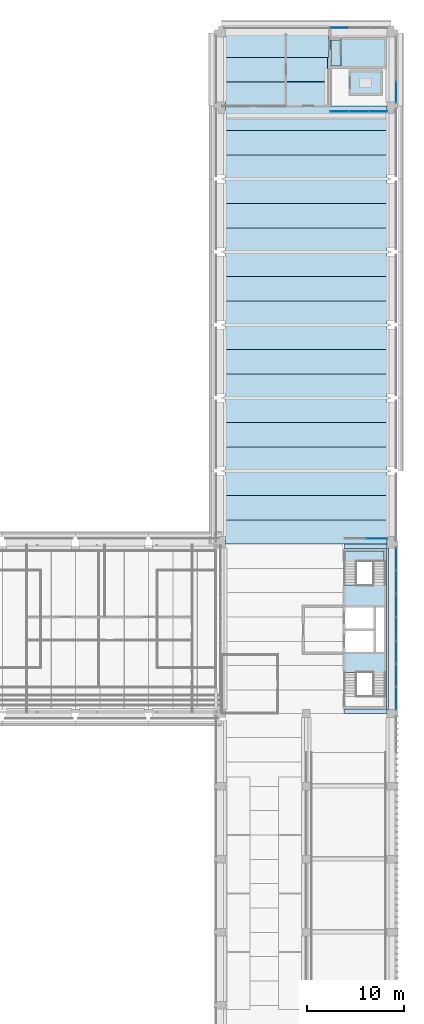
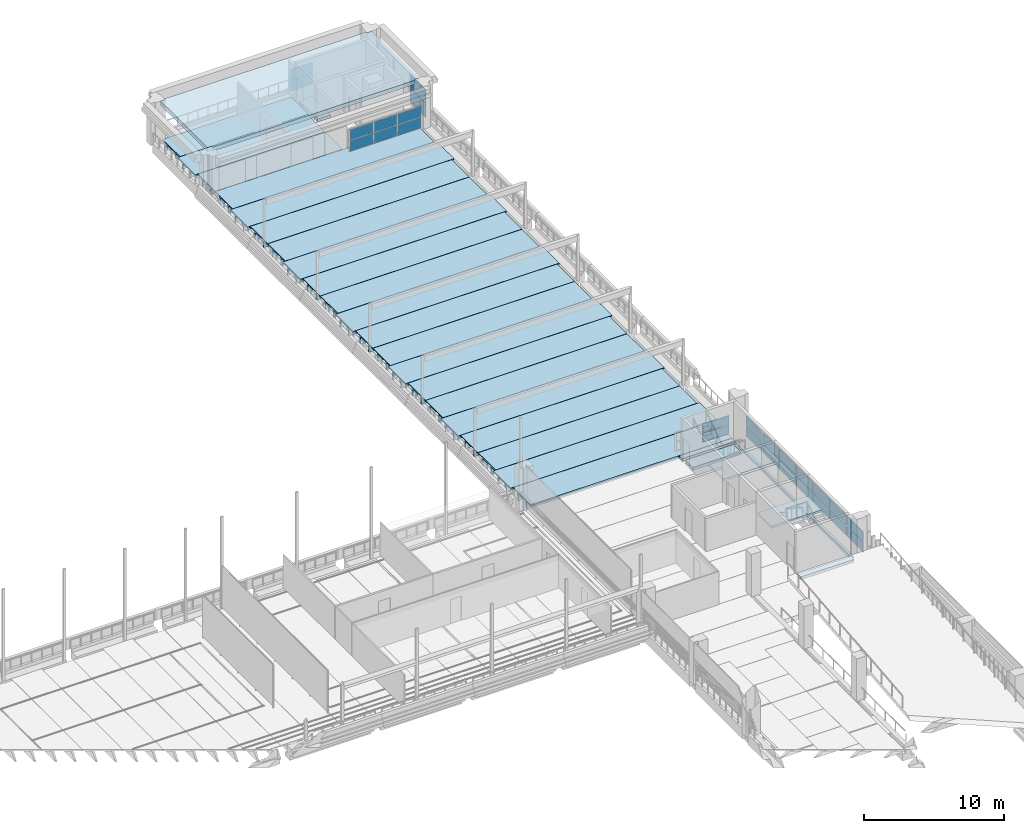
# One storey, part 39 of 62: 27 slabs, 26 plates, 7 elements without a shape of their own.
"""IFC4 building model written with IfcOpenShell, lengths in metres."""

import ifcopenshell
import ifcopenshell.guid

model = None  # the IFC model being written
_history = None  # IfcOwnerHistory: only IFC2X3 demands one
_inside = {}  # id of a spatial element -> (the spatial element, [elements in it])
_under = {}  # id of a project, library or spatial element -> (it, [spatial elements below it])
_declared = {}  # id of a project -> (the project, [libraries it declares])
_typed = {}  # id of a type object -> (the type object, [elements of that type])
_made_of = {}  # id of a material, layer set ... -> (it, [elements and type objects made of it])


def new_model(schema):
    """Start an empty IFC model of exactly this schema.

    Asked for "IFC4X3", IfcOpenShell would pick the latest addendum, in which some entities
    have other attributes; the version numbers below select the first issue.
    IFC2X3 requires an IfcOwnerHistory on every rooted entity: one is made here for all.
    """
    global model, _history
    if schema == "IFC4X3":
        model = ifcopenshell.file(schema_version=(4, 3, 0, 0))
    else:
        model = ifcopenshell.file(schema=schema)
    _inside.clear()
    _under.clear()
    _declared.clear()
    _typed.clear()
    _made_of.clear()
    _history = None
    if model.schema == "IFC2X3":
        org = make("IfcOrganization", Name="unknown")
        user = make(
            "IfcPersonAndOrganization",
            ThePerson=make("IfcPerson", FamilyName="unknown"),
            TheOrganization=org,
        )
        app = make(
            "IfcApplication",
            ApplicationDeveloper=org,
            Version="unknown",
            ApplicationFullName="unknown",
            ApplicationIdentifier="unknown",
        )
        _history = make(
            "IfcOwnerHistory",
            OwningUser=user,
            OwningApplication=app,
            ChangeAction="ADDED",
            CreationDate=0,
        )
    return model


def make(cls, **values):
    """One entity of the class cls with the attributes given. An attribute that is None is left unset."""
    return model.create_entity(
        cls, **{name: value for name, value in values.items() if value is not None}
    )


def rooted(cls, **values):
    """An entity with a GlobalId (a new one), such as an element, a storey or a relation."""
    return make(cls, GlobalId=ifcopenshell.guid.new(), OwnerHistory=_history, **values)


def si_unit(unit_type, name, prefix=None):
    """IfcSIUnit, for example si_unit("LENGTHUNIT", "METRE", prefix="MILLI")."""
    return make("IfcSIUnit", UnitType=unit_type, Prefix=prefix, Name=name)


def assignment(units):
    """IfcUnitAssignment: the units of a project."""
    return None if units is None else make("IfcUnitAssignment", Units=units)


def point(xyz):
    """IfcCartesianPoint."""
    return None if xyz is None else make("IfcCartesianPoint", Coordinates=xyz)


def direction(xyz):
    """IfcDirection."""
    return None if xyz is None else make("IfcDirection", DirectionRatios=xyz)


def frame(location, z_axis=None, x_axis=None):
    """IfcAxis2Placement3D, a coordinate frame: its origin and axes. An axis left out is left unset."""
    return make(
        "IfcAxis2Placement3D",
        Location=point(location),
        Axis=direction(z_axis),
        RefDirection=direction(x_axis),
    )


def frame_2d(location, x_axis=None):
    """IfcAxis2Placement2D, a coordinate frame in the plane: its origin and x axis."""
    return make(
        "IfcAxis2Placement2D", Location=point(location), RefDirection=direction(x_axis)
    )


def origin():
    """The frame at (0, 0, 0) with its axes left unset."""
    return frame((0.0, 0.0, 0.0))


def origin_2d():
    """The frame at (0, 0) in the plane with its x axis left unset."""
    return frame_2d((0.0, 0.0))


def place(relative_to, where):
    """IfcLocalPlacement: puts the frame where relative to a parent placement (None: the world)."""
    return make(
        "IfcLocalPlacement", PlacementRelTo=relative_to, RelativePlacement=where
    )


def context(
    kind, dimensions, precision=None, world=None, true_north=None, identifier=None
):
    """IfcGeometricRepresentationContext, for example the 3D "Model" context."""
    return make(
        "IfcGeometricRepresentationContext",
        ContextIdentifier=identifier,
        ContextType=kind,
        CoordinateSpaceDimension=dimensions,
        Precision=precision,
        WorldCoordinateSystem=world,
        TrueNorth=true_north,
    )


def subcontext(parent, identifier, kind, view, scale=None):
    """IfcGeometricRepresentationSubContext, for example "Body" below "Model"."""
    return make(
        "IfcGeometricRepresentationSubContext",
        ContextIdentifier=identifier,
        ContextType=kind,
        ParentContext=parent,
        TargetScale=scale,
        TargetView=view,
    )


def project(units=None, contexts=None):
    """IfcProject with its units and contexts."""
    return rooted(
        "IfcProject",
        Name="project",
        RepresentationContexts=contexts,
        UnitsInContext=assignment(units),
    )


def spatial(cls, under=None, at=None, **own):
    """A site, building, storey or space (cls), placed at a placement, below another one or the project."""
    s = rooted(cls, ObjectPlacement=at, **own)
    if under is not None:
        _under.setdefault(under.id(), (under, []))[1].append(s)
    return s


def polyline(points):
    """IfcPolyline through the points."""
    return make("IfcPolyline", Points=[point(p) for p in points])


def profile(cls, at=None, kind="AREA", **sizes):
    """A parametric profile (cls). Its sizes go by their IFC names, for example OverallWidth=200.0."""
    return make(cls, ProfileType=kind, Position=at, **sizes)


def rectangle(**sizes):
    """IfcRectangleProfileDef."""
    return profile("IfcRectangleProfileDef", **sizes)


def outline(outer, holes=None, kind="AREA"):
    """IfcArbitraryClosedProfileDef: a profile drawn as a closed curve; with holes, ...WithVoids."""
    if holes is None:
        return make("IfcArbitraryClosedProfileDef", ProfileType=kind, OuterCurve=outer)
    return make(
        "IfcArbitraryProfileDefWithVoids",
        ProfileType=kind,
        OuterCurve=outer,
        InnerCurves=holes,
    )


def extrude(swept, where, along, depth):
    """IfcExtrudedAreaSolid: the profile swept, set in the frame where, extruded along a direction by depth."""
    return make(
        "IfcExtrudedAreaSolid",
        SweptArea=swept,
        Position=where,
        ExtrudedDirection=direction(along),
        Depth=depth,
    )


def shape(context_of_items, identifier, shape_type, items):
    """IfcShapeRepresentation: the items that make up one representation, for example the "Body"."""
    return make(
        "IfcShapeRepresentation",
        ContextOfItems=context_of_items,
        RepresentationIdentifier=identifier,
        RepresentationType=shape_type,
        Items=items,
    )


def material(Name=None, Category=None):
    """IfcMaterial."""
    return make("IfcMaterial", Name=Name, Category=Category)


def layer(
    of_material, thickness, ventilated=None, Name=None, Category=None, Priority=None
):
    """IfcMaterialLayer: one layer of a wall or slab, of a material (None: an air gap)."""
    return make(
        "IfcMaterialLayer",
        Material=of_material,
        LayerThickness=thickness,
        IsVentilated=ventilated,
        Name=Name,
        Category=Category,
        Priority=Priority,
    )


def layer_set(layers, Name=None):
    """IfcMaterialLayerSet."""
    return make("IfcMaterialLayerSet", MaterialLayers=layers, LayerSetName=Name)


def material_profile(
    of_material, cross_section, Name=None, Category=None, Priority=None
):
    """IfcMaterialProfile: a cross section and its material."""
    return make(
        "IfcMaterialProfile",
        Name=Name,
        Material=of_material,
        Profile=cross_section,
        Priority=Priority,
        Category=Category,
    )


def profile_set(profiles, Name=None, composite=None):
    """IfcMaterialProfileSet."""
    return make(
        "IfcMaterialProfileSet",
        Name=Name,
        MaterialProfiles=profiles,
        CompositeProfile=composite,
    )


def made_of(thing, what):
    """Note that an element or type object is made of a material, layer set ...; save() writes the relation."""
    if what is not None:
        _made_of.setdefault(what.id(), (what, []))[1].append(thing)
    return thing


def type_object(cls, material=None, **own):
    """A type object (cls), such as IfcWallType, which elements share."""
    return made_of(rooted(cls, **own), material)


def element(
    cls,
    number,
    at=None,
    inside=None,
    cuts=None,
    type_object=None,
    material=None,
    context=None,
    identifier="Body",
    shape_type=None,
    held_by="IfcProductDefinitionShape",
    body=None,
    shapes=None,
    **own,
):
    """One element of the class cls, such as IfcWall. Its Tag is "e" and its number.

    at: its placement. inside: the storey or other place that contains it. cuts: it is an
    opening in that element (IfcRelVoidsElement). A single representation is given by context,
    identifier, shape_type and body (its items); several are given by shapes. held_by: the class
    of the entity that holds the representations. save() writes the other relations.
    """
    e = rooted(cls, Tag="e%d" % number, ObjectPlacement=at, **own)
    if body is not None:
        shapes = [shape(context, identifier, shape_type, body)]
    if shapes is not None:
        e.Representation = make(held_by, Representations=shapes)
    if inside is not None:
        _inside.setdefault(inside.id(), (inside, []))[1].append(e)
    if cuts is not None:
        rooted(
            "IfcRelVoidsElement", RelatingBuildingElement=cuts, RelatedOpeningElement=e
        )
    if type_object is not None:
        _typed.setdefault(type_object.id(), (type_object, []))[1].append(e)
    return made_of(e, material)


def aggregate(whole, parts):
    """IfcRelAggregates: a whole, such as a stair, and the parts it consists of."""
    return rooted("IfcRelAggregates", RelatingObject=whole, RelatedObjects=parts)


def save(model, path):
    """Write the relations noted so far, then the file.

    IfcRelAggregates (storeys below a building ...), IfcRelContainedInSpatialStructure (elements
    in a storey), IfcRelDefinesByType, IfcRelAssociatesMaterial and IfcRelDeclares: one each for
    every whole, place, type object, material and project.
    """
    for whole, parts in _under.values():
        aggregate(whole, parts)
    for where, things in _inside.values():
        rooted(
            "IfcRelContainedInSpatialStructure",
            RelatedElements=things,
            RelatingStructure=where,
        )
    for kind, things in _typed.values():
        rooted("IfcRelDefinesByType", RelatedObjects=things, RelatingType=kind)
    for what, things in _made_of.values():
        rooted("IfcRelAssociatesMaterial", RelatedObjects=things, RelatingMaterial=what)
    for by, libraries in _declared.values():
        rooted("IfcRelDeclares", RelatingContext=by, RelatedDefinitions=libraries)
    model.write(path)


model = new_model("IFC4")

# Units and contexts
model_context = context("Model", 3, precision=1e-05, world=origin(), true_north=direction((0.0, 1.0)))
body_context = subcontext(model_context, "Body", "Model", "MODEL_VIEW")
ifc_project = project(units=[si_unit("LENGTHUNIT", "METRE"), si_unit("AREAUNIT", "SQUARE_METRE"), si_unit("VOLUMEUNIT", "CUBIC_METRE"), si_unit("PLANEANGLEUNIT", "RADIAN"), si_unit("MASSUNIT", "GRAM", prefix="KILO")], contexts=[model_context])

# Site, building, storey
site_placement = place(None, origin())
site = spatial("IfcSite", under=ifc_project, at=site_placement, CompositionType="ELEMENT")
building_placement = place(site_placement, origin())
building = spatial("IfcBuilding", under=site, at=building_placement, Name="Cour d'Honneur Mobility Palace", CompositionType="ELEMENT")
storey_placement = place(building_placement, frame((0.0, 0.0, 19.300048828125)))
storey = spatial("IfcBuildingStorey", under=building, at=storey_placement, Name="L05", CompositionType="ELEMENT", Elevation=19.300048828125)

# Slabs
ifc_material_1 = material(Name="Concrete C50", Category="concrete")
ifc_layer_1 = layer(ifc_material_1, 0.25)
ifc_layer_set_1 = layer_set([ifc_layer_1], Name="Concrete C50")
slab_type_1 = type_object("IfcSlabType", Name="Cast-in-place Slab 250", PredefinedType="FLOOR", material=ifc_layer_set_1)
slab_1_placement = place(storey_placement, frame((0.0, 0.0, -0.25)))
element("IfcSlab", 1, at=slab_1_placement, inside=storey, type_object=slab_type_1, Name="Cast-in-place slab S1 L05 core", PredefinedType="FLOOR", context=body_context, shape_type="SweptSolid", body=[
    extrude(outline(polyline([(156.125, 114.199951171875), (157.199951171875, 114.199951171875), (157.199951171875, 111.52490234375), (156.125, 111.52490234375), (156.125, 114.199951171875)])), origin(), (0.0, 0.0, 1.0), 0.25),
])
slab_2_placement = place(storey_placement, frame((0.0, 0.0, -0.25)))
element("IfcSlab", 2, at=slab_2_placement, inside=storey, type_object=slab_type_1, Name="Cast-in-place slab S1 L05 core", PredefinedType="FLOOR", context=body_context, shape_type="SweptSolid", body=[
    extrude(outline(polyline([(161.89990234375, 62.0), (162.050048828125, 62.0), (162.050048828125, 45.39990234375), (161.89990234375, 45.39990234375), (161.89990234375, 45.0), (157.5, 45.0), (157.5, 45.449951171875), (161.85009765625, 45.449951171875), (161.85009765625, 61.949951171875), (157.5, 61.949951171875), (157.5, 62.39990234375), (161.89990234375, 62.39990234375), (161.89990234375, 62.0)])), origin(), (0.0, 0.0, 1.0), 0.25),
])
slab_3_placement = place(storey_placement, frame((0.0, 0.0, -0.25)))
element("IfcSlab", 3, at=slab_3_placement, inside=storey, type_object=slab_type_1, Name="Cast-in-place slab S1 L05 core", PredefinedType="FLOOR", context=body_context, shape_type="SweptSolid", body=[
    extrude(outline(polyline([(161.60009765625, 61.699951171875), (161.60009765625, 60.625), (157.625, 60.625), (157.625, 61.699951171875), (161.60009765625, 61.699951171875)])), origin(), (0.0, 0.0, 1.0), 0.25),
])

# Curtain wall, plates
ifc_material_2 = material(Name="Aluminium and glass", Category="aluminium")
ifc_layer_2 = layer(ifc_material_2, 0.10009765625)
ifc_layer_set_2 = layer_set([ifc_layer_2], Name="Aluminium and glass")
curtain_wall_type = type_object("IfcCurtainWallType", Name="Curtain wall run", PredefinedType="NOTDEFINED", material=ifc_layer_set_2)
curtain_wall_1_placement = place(storey_placement, origin())
curtain_wall_1 = element("IfcCurtainWall", 4, at=curtain_wall_1_placement, inside=storey, type_object=curtain_wall_type, Name="Curtain wall CW-91", PredefinedType="NOTDEFINED")
ifc_material_3 = material(Name="Double glazing", Category="glass")
ifc_layer_3 = layer(ifc_material_3, 0.028076171875)
ifc_layer_set_3 = layer_set([ifc_layer_3], Name="Double glazing")
plate_type = type_object("IfcPlateType", Name="Curtain wall panel", PredefinedType="CURTAIN_PANEL", material=ifc_layer_set_3)
plate_1_placement = place(storey_placement, frame((162.85009765625, 46.514892578125, 0.06005859375), z_axis=(0.0, 0.0, 1.0), x_axis=(0.0, 1.0, 0.0)))
plate_1 = element("IfcPlate", 5, at=plate_1_placement, type_object=plate_type, Name="CW-91 panel 1.1", PredefinedType="CURTAIN_PANEL", context=body_context, shape_type="SweptSolid", body=[
    extrude(rectangle(XDim=2.31005859375, YDim=0.028076171875, at=origin_2d()), origin(), (0.0, 0.0, 1.0), 0.860107421875),
])
plate_2_placement = place(storey_placement, frame((162.85009765625, 46.514892578125, 0.97998046875), z_axis=(0.0, 0.0, 1.0), x_axis=(0.0, 1.0, 0.0)))
plate_2 = element("IfcPlate", 6, at=plate_2_placement, type_object=plate_type, Name="CW-91 panel 1.2", PredefinedType="CURTAIN_PANEL", context=body_context, shape_type="SweptSolid", body=[
    extrude(rectangle(XDim=2.31005859375, YDim=0.028076171875, at=origin_2d()), origin(), (0.0, 0.0, 1.0), 0.860107421875),
])
plate_3_placement = place(storey_placement, frame((162.85009765625, 48.89990234375, 0.06005859375), z_axis=(0.0, 0.0, 1.0), x_axis=(0.0, 1.0, 0.0)))
plate_3 = element("IfcPlate", 7, at=plate_3_placement, type_object=plate_type, Name="CW-91 panel 2.1", PredefinedType="CURTAIN_PANEL", context=body_context, shape_type="SweptSolid", body=[
    extrude(rectangle(XDim=2.340087890625, YDim=0.028076171875, at=origin_2d()), origin(), (0.0, 0.0, 1.0), 0.860107421875),
])
plate_4_placement = place(storey_placement, frame((162.85009765625, 48.89990234375, 0.97998046875), z_axis=(0.0, 0.0, 1.0), x_axis=(0.0, 1.0, 0.0)))
plate_4 = element("IfcPlate", 8, at=plate_4_placement, type_object=plate_type, Name="CW-91 panel 2.2", PredefinedType="CURTAIN_PANEL", context=body_context, shape_type="SweptSolid", body=[
    extrude(rectangle(XDim=2.340087890625, YDim=0.028076171875, at=origin_2d()), origin(), (0.0, 0.0, 1.0), 0.860107421875),
])
plate_5_placement = place(storey_placement, frame((162.85009765625, 51.300048828125, 0.06005859375), z_axis=(0.0, 0.0, 1.0), x_axis=(0.0, 1.0, 0.0)))
plate_5 = element("IfcPlate", 9, at=plate_5_placement, type_object=plate_type, Name="CW-91 panel 3.1", PredefinedType="CURTAIN_PANEL", context=body_context, shape_type="SweptSolid", body=[
    extrude(rectangle(XDim=2.340087890625, YDim=0.028076171875, at=origin_2d()), origin(), (0.0, 0.0, 1.0), 0.860107421875),
])
plate_6_placement = place(storey_placement, frame((162.85009765625, 51.300048828125, 0.97998046875), z_axis=(0.0, 0.0, 1.0), x_axis=(0.0, 1.0, 0.0)))
plate_6 = element("IfcPlate", 10, at=plate_6_placement, type_object=plate_type, Name="CW-91 panel 3.2", PredefinedType="CURTAIN_PANEL", context=body_context, shape_type="SweptSolid", body=[
    extrude(rectangle(XDim=2.340087890625, YDim=0.028076171875, at=origin_2d()), origin(), (0.0, 0.0, 1.0), 0.860107421875),
])
plate_7_placement = place(storey_placement, frame((162.85009765625, 53.699951171875, 0.06005859375), z_axis=(0.0, 0.0, 1.0), x_axis=(0.0, 1.0, 0.0)))
plate_7 = element("IfcPlate", 11, at=plate_7_placement, type_object=plate_type, Name="CW-91 panel 4.1", PredefinedType="CURTAIN_PANEL", context=body_context, shape_type="SweptSolid", body=[
    extrude(rectangle(XDim=2.340087890625, YDim=0.028076171875, at=origin_2d()), origin(), (0.0, 0.0, 1.0), 0.860107421875),
])
plate_8_placement = place(storey_placement, frame((162.85009765625, 53.699951171875, 0.97998046875), z_axis=(0.0, 0.0, 1.0), x_axis=(0.0, 1.0, 0.0)))
plate_8 = element("IfcPlate", 12, at=plate_8_placement, type_object=plate_type, Name="CW-91 panel 4.2", PredefinedType="CURTAIN_PANEL", context=body_context, shape_type="SweptSolid", body=[
    extrude(rectangle(XDim=2.340087890625, YDim=0.028076171875, at=origin_2d()), origin(), (0.0, 0.0, 1.0), 0.860107421875),
])
plate_9_placement = place(storey_placement, frame((162.85009765625, 56.10009765625, 0.06005859375), z_axis=(0.0, 0.0, 1.0), x_axis=(0.0, 1.0, 0.0)))
plate_9 = element("IfcPlate", 13, at=plate_9_placement, type_object=plate_type, Name="CW-91 panel 5.1", PredefinedType="CURTAIN_PANEL", context=body_context, shape_type="SweptSolid", body=[
    extrude(rectangle(XDim=2.340087890625, YDim=0.028076171875, at=origin_2d()), origin(), (0.0, 0.0, 1.0), 0.860107421875),
])
plate_10_placement = place(storey_placement, frame((162.85009765625, 56.10009765625, 0.97998046875), z_axis=(0.0, 0.0, 1.0), x_axis=(0.0, 1.0, 0.0)))
plate_10 = element("IfcPlate", 14, at=plate_10_placement, type_object=plate_type, Name="CW-91 panel 5.2", PredefinedType="CURTAIN_PANEL", context=body_context, shape_type="SweptSolid", body=[
    extrude(rectangle(XDim=2.340087890625, YDim=0.028076171875, at=origin_2d()), origin(), (0.0, 0.0, 1.0), 0.860107421875),
])
plate_11_placement = place(storey_placement, frame((162.85009765625, 58.5, 0.06005859375), z_axis=(0.0, 0.0, 1.0), x_axis=(0.0, 1.0, 0.0)))
plate_11 = element("IfcPlate", 15, at=plate_11_placement, type_object=plate_type, Name="CW-91 panel 6.1", PredefinedType="CURTAIN_PANEL", context=body_context, shape_type="SweptSolid", body=[
    extrude(rectangle(XDim=2.340087890625, YDim=0.028076171875, at=origin_2d()), origin(), (0.0, 0.0, 1.0), 0.860107421875),
])
plate_12_placement = place(storey_placement, frame((162.85009765625, 58.5, 0.97998046875), z_axis=(0.0, 0.0, 1.0), x_axis=(0.0, 1.0, 0.0)))
plate_12 = element("IfcPlate", 16, at=plate_12_placement, type_object=plate_type, Name="CW-91 panel 6.2", PredefinedType="CURTAIN_PANEL", context=body_context, shape_type="SweptSolid", body=[
    extrude(rectangle(XDim=2.340087890625, YDim=0.028076171875, at=origin_2d()), origin(), (0.0, 0.0, 1.0), 0.860107421875),
])
plate_13_placement = place(storey_placement, frame((162.85009765625, 60.885009765625, 0.06005859375), z_axis=(0.0, 0.0, 1.0), x_axis=(0.0, 1.0, 0.0)))
plate_13 = element("IfcPlate", 17, at=plate_13_placement, type_object=plate_type, Name="CW-91 panel 7.1", PredefinedType="CURTAIN_PANEL", context=body_context, shape_type="SweptSolid", body=[
    extrude(rectangle(XDim=2.31005859375, YDim=0.028076171875, at=origin_2d()), origin(), (0.0, 0.0, 1.0), 0.860107421875),
])
plate_14_placement = place(storey_placement, frame((162.85009765625, 60.885009765625, 0.97998046875), z_axis=(0.0, 0.0, 1.0), x_axis=(0.0, 1.0, 0.0)))
plate_14 = element("IfcPlate", 18, at=plate_14_placement, type_object=plate_type, Name="CW-91 panel 7.2", PredefinedType="CURTAIN_PANEL", context=body_context, shape_type="SweptSolid", body=[
    extrude(rectangle(XDim=2.31005859375, YDim=0.028076171875, at=origin_2d()), origin(), (0.0, 0.0, 1.0), 0.860107421875),
])
aggregate(curtain_wall_1, [plate_1, plate_2, plate_3, plate_4, plate_5, plate_6, plate_7, plate_8, plate_9, plate_10, plate_11, plate_12, plate_13, plate_14])

curtain_wall_2_placement = place(storey_placement, origin())
curtain_wall_2 = element("IfcCurtainWall", 19, at=curtain_wall_2_placement, inside=storey, type_object=curtain_wall_type, Name="Curtain wall CW-92", PredefinedType="NOTDEFINED")
plate_15_placement = place(storey_placement, frame((160.860107421875, 62.949951171875, 0.06005859375), z_axis=(0.0, 0.0, 1.0), x_axis=(-1.0, 0.0, 0.0)))
plate_15 = element("IfcPlate", 20, at=plate_15_placement, type_object=plate_type, Name="CW-92 panel 1.1", PredefinedType="CURTAIN_PANEL", context=body_context, shape_type="SweptSolid", body=[
    extrude(rectangle(XDim=2.159912109375, YDim=0.028076171875, at=origin_2d()), origin(), (0.0, 0.0, 1.0), 0.760009765625),
])
plate_16_placement = place(storey_placement, frame((160.860107421875, 62.949951171875, 0.8798828125), z_axis=(0.0, 0.0, 1.0), x_axis=(-1.0, 0.0, 0.0)))
plate_16 = element("IfcPlate", 21, at=plate_16_placement, type_object=plate_type, Name="CW-92 panel 1.2", PredefinedType="CURTAIN_PANEL", context=body_context, shape_type="SweptSolid", body=[
    extrude(rectangle(XDim=2.159912109375, YDim=0.028076171875, at=origin_2d()), origin(), (0.0, 0.0, 1.0), 0.760009765625),
])
aggregate(curtain_wall_2, [plate_15, plate_16])

curtain_wall_3_placement = place(storey_placement, origin())
curtain_wall_3 = element("IfcCurtainWall", 22, at=curtain_wall_3_placement, inside=storey, type_object=curtain_wall_type, Name="Curtain wall CW-121", PredefinedType="NOTDEFINED")
plate_17_placement = place(storey_placement, frame((157.014892578125, 115.449951171875, 0.06005859375), z_axis=(0.0, 0.0, 1.0), x_axis=(-1.0, 0.0, 0.0)))
plate_17 = element("IfcPlate", 23, at=plate_17_placement, type_object=plate_type, Name="CW-121 panel 3.1", PredefinedType="CURTAIN_PANEL", context=body_context, shape_type="SweptSolid", body=[
    extrude(rectangle(XDim=1.909912109375, YDim=0.028076171875, at=origin_2d()), origin(), (0.0, 0.0, 1.0), 0.909912109375),
])
plate_18_placement = place(storey_placement, frame((157.014892578125, 115.449951171875, 1.02978515625), z_axis=(0.0, 0.0, 1.0), x_axis=(-1.0, 0.0, 0.0)))
plate_18 = element("IfcPlate", 24, at=plate_18_placement, type_object=plate_type, Name="CW-121 panel 3.2", PredefinedType="CURTAIN_PANEL", context=body_context, shape_type="SweptSolid", body=[
    extrude(rectangle(XDim=1.909912109375, YDim=0.028076171875, at=origin_2d()), origin(), (0.0, 0.0, 1.0), 0.909912109375),
])
aggregate(curtain_wall_3, [plate_17, plate_18])

curtain_wall_4_placement = place(storey_placement, origin())
curtain_wall_4 = element("IfcCurtainWall", 25, at=curtain_wall_4_placement, inside=storey, type_object=curtain_wall_type, Name="Curtain wall CW-122", PredefinedType="NOTDEFINED")
plate_19_placement = place(storey_placement, frame((157.014892578125, 106.85009765625, 0.06005859375), z_axis=(0.0, 0.0, 1.0), x_axis=(1.0, 0.0, 0.0)))
plate_19 = element("IfcPlate", 26, at=plate_19_placement, type_object=plate_type, Name="CW-122 panel 1.1", PredefinedType="CURTAIN_PANEL", context=body_context, shape_type="SweptSolid", body=[
    extrude(rectangle(XDim=1.909912109375, YDim=0.028076171875, at=origin_2d()), origin(), (0.0, 0.0, 1.0), 0.909912109375),
])
plate_20_placement = place(storey_placement, frame((157.014892578125, 106.85009765625, 1.02978515625), z_axis=(0.0, 0.0, 1.0), x_axis=(1.0, 0.0, 0.0)))
plate_20 = element("IfcPlate", 27, at=plate_20_placement, type_object=plate_type, Name="CW-122 panel 1.2", PredefinedType="CURTAIN_PANEL", context=body_context, shape_type="SweptSolid", body=[
    extrude(rectangle(XDim=1.909912109375, YDim=0.028076171875, at=origin_2d()), origin(), (0.0, 0.0, 1.0), 0.909912109375),
])
plate_21_placement = place(storey_placement, frame((159.0, 106.85009765625, 0.06005859375), z_axis=(0.0, 0.0, 1.0), x_axis=(1.0, 0.0, 0.0)))
plate_21 = element("IfcPlate", 28, at=plate_21_placement, type_object=plate_type, Name="CW-122 panel 2.1", PredefinedType="CURTAIN_PANEL", context=body_context, shape_type="SweptSolid", body=[
    extrude(rectangle(XDim=1.93994140625, YDim=0.028076171875, at=origin_2d()), origin(), (0.0, 0.0, 1.0), 0.909912109375),
])
plate_22_placement = place(storey_placement, frame((159.0, 106.85009765625, 1.02978515625), z_axis=(0.0, 0.0, 1.0), x_axis=(1.0, 0.0, 0.0)))
plate_22 = element("IfcPlate", 29, at=plate_22_placement, type_object=plate_type, Name="CW-122 panel 2.2", PredefinedType="CURTAIN_PANEL", context=body_context, shape_type="SweptSolid", body=[
    extrude(rectangle(XDim=1.93994140625, YDim=0.028076171875, at=origin_2d()), origin(), (0.0, 0.0, 1.0), 0.909912109375),
])
plate_23_placement = place(storey_placement, frame((160.985107421875, 106.85009765625, 0.06005859375), z_axis=(0.0, 0.0, 1.0), x_axis=(1.0, 0.0, 0.0)))
plate_23 = element("IfcPlate", 30, at=plate_23_placement, type_object=plate_type, Name="CW-122 panel 3.1", PredefinedType="CURTAIN_PANEL", context=body_context, shape_type="SweptSolid", body=[
    extrude(rectangle(XDim=1.909912109375, YDim=0.028076171875, at=origin_2d()), origin(), (0.0, 0.0, 1.0), 0.909912109375),
])
plate_24_placement = place(storey_placement, frame((160.985107421875, 106.85009765625, 1.02978515625), z_axis=(0.0, 0.0, 1.0), x_axis=(1.0, 0.0, 0.0)))
plate_24 = element("IfcPlate", 31, at=plate_24_placement, type_object=plate_type, Name="CW-122 panel 3.2", PredefinedType="CURTAIN_PANEL", context=body_context, shape_type="SweptSolid", body=[
    extrude(rectangle(XDim=1.909912109375, YDim=0.028076171875, at=origin_2d()), origin(), (0.0, 0.0, 1.0), 0.909912109375),
])
aggregate(curtain_wall_4, [plate_19, plate_20, plate_21, plate_22, plate_23, plate_24])

curtain_wall_5_placement = place(storey_placement, origin())
curtain_wall_5 = element("IfcCurtainWall", 32, at=curtain_wall_5_placement, inside=storey, type_object=curtain_wall_type, Name="Curtain wall CW-123", PredefinedType="NOTDEFINED")
plate_25_placement = place(storey_placement, frame((162.85009765625, 108.864990234375, 0.06005859375), z_axis=(0.0, 0.0, 1.0), x_axis=(0.0, 1.0, 0.0)))
plate_25 = element("IfcPlate", 33, at=plate_25_placement, type_object=plate_type, Name="CW-123 panel 1.1", PredefinedType="CURTAIN_PANEL", context=body_context, shape_type="SweptSolid", body=[
    extrude(rectangle(XDim=2.2099609375, YDim=0.028076171875, at=origin_2d()), origin(), (0.0, 0.0, 1.0), 1.2099609375),
])
plate_26_placement = place(storey_placement, frame((162.85009765625, 108.864990234375, 1.330078125), z_axis=(0.0, 0.0, 1.0), x_axis=(0.0, 1.0, 0.0)))
plate_26 = element("IfcPlate", 34, at=plate_26_placement, type_object=plate_type, Name="CW-123 panel 1.2", PredefinedType="CURTAIN_PANEL", context=body_context, shape_type="SweptSolid", body=[
    extrude(rectangle(XDim=2.2099609375, YDim=0.028076171875, at=origin_2d()), origin(), (0.0, 0.0, 1.0), 1.2099609375),
])
aggregate(curtain_wall_5, [plate_25, plate_26])

# Slabs
ifc_material_4 = material(Name="Concrete C45", Category="concrete")
ifc_material_profile_1 = material_profile(ifc_material_4, outline(polyline([(-1.2451171875, 0.0), (1.2451171875, 0.0), (1.2451171875, -0.10009765625), (0.679931640625, -0.10009765625), (0.64990234375, -0.60009765625), (0.550048828125, -0.60009765625), (0.52001953125, -0.10009765625), (-0.52001953125, -0.10009765625), (-0.550048828125, -0.60009765625), (-0.64990234375, -0.60009765625), (-0.679931640625, -0.10009765625), (-1.2451171875, -0.10009765625), (-1.2451171875, 0.0)])), Name="DT 2490x600")
ifc_profile_set_1 = profile_set([ifc_material_profile_1], Name="Concrete C45")
slab_type_2 = type_object("IfcSlabType", Name="DT 2490x600", PredefinedType="FLOOR", material=ifc_profile_set_1)
slab_4_placement = place(storey_placement, frame((145.300048828125, 108.64990234375, 0.0), z_axis=(1.0, 0.0, 0.0), x_axis=(0.0, 1.0, 0.0)))
element("IfcSlab", 35, at=slab_4_placement, inside=storey, type_object=slab_type_2, Name="Double tee DT-NE19 L05", PredefinedType="FLOOR", context=body_context, shape_type="SweptSolid", body=[
    extrude(outline(polyline([(-1.2451171875, 0.0), (1.2451171875, 0.0), (1.2451171875, -0.10009765625), (0.679931640625, -0.10009765625), (0.64990234375, -0.60009765625), (0.550048828125, -0.60009765625), (0.52001953125, -0.10009765625), (-0.52001953125, -0.10009765625), (-0.550048828125, -0.60009765625), (-0.64990234375, -0.60009765625), (-0.679931640625, -0.10009765625), (-1.2451171875, -0.10009765625), (-1.2451171875, 0.0)])), origin(), (0.0, 0.0, 1.0), 10.5),
])
slab_5_placement = place(storey_placement, frame((145.10009765625, 111.14990234375, 0.0), z_axis=(1.0, 0.0, 0.0), x_axis=(0.0, 1.0, 0.0)))
element("IfcSlab", 36, at=slab_5_placement, inside=storey, type_object=slab_type_2, Name="Double tee DT-NE20 L05", PredefinedType="FLOOR", context=body_context, shape_type="SweptSolid", body=[
    extrude(outline(polyline([(-1.2451171875, 0.0), (1.2451171875, 0.0), (1.2451171875, -0.10009765625), (0.679931640625, -0.10009765625), (0.64990234375, -0.60009765625), (0.550048828125, -0.60009765625), (0.52001953125, -0.10009765625), (-0.52001953125, -0.10009765625), (-0.550048828125, -0.60009765625), (-0.64990234375, -0.60009765625), (-0.679931640625, -0.10009765625), (-1.2451171875, -0.10009765625), (-1.2451171875, 0.0)])), origin(), (0.0, 0.0, 1.0), 10.699951171875),
])
slab_6_placement = place(storey_placement, frame((145.300048828125, 113.64990234375, 0.0), z_axis=(1.0, 0.0, 0.0), x_axis=(0.0, 1.0, 0.0)))
element("IfcSlab", 37, at=slab_6_placement, inside=storey, type_object=slab_type_2, Name="Double tee DT-NE21 L05", PredefinedType="FLOOR", context=body_context, shape_type="SweptSolid", body=[
    extrude(outline(polyline([(-1.2451171875, 0.0), (1.2451171875, 0.0), (1.2451171875, -0.10009765625), (0.679931640625, -0.10009765625), (0.64990234375, -0.60009765625), (0.550048828125, -0.60009765625), (0.52001953125, -0.10009765625), (-0.52001953125, -0.10009765625), (-0.550048828125, -0.60009765625), (-0.64990234375, -0.60009765625), (-0.679931640625, -0.10009765625), (-1.2451171875, -0.10009765625), (-1.2451171875, 0.0)])), origin(), (0.0, 0.0, 1.0), 10.574951171875),
])
ifc_material_5 = material(Name="Concrete C45", Category="concrete")
ifc_material_profile_2 = material_profile(ifc_material_5, outline(polyline([(-1.2451171875, 0.0), (1.2451171875, 0.0), (1.2451171875, -0.10009765625), (0.679931640625, -0.10009765625), (0.64990234375, -0.75), (0.550048828125, -0.75), (0.52001953125, -0.10009765625), (-0.52001953125, -0.10009765625), (-0.550048828125, -0.75), (-0.64990234375, -0.75), (-0.679931640625, -0.10009765625), (-1.2451171875, -0.10009765625), (-1.2451171875, 0.0)])), Name="DT 2490x750")
ifc_profile_set_2 = profile_set([ifc_material_profile_2], Name="Concrete C45")
slab_type_3 = type_object("IfcSlabType", Name="DT 2490x750", PredefinedType="FLOOR", material=ifc_profile_set_2)
slab_7_placement = place(storey_placement, frame((145.300048828125, 63.64990234375, 0.0), z_axis=(1.0, 0.0, 0.0), x_axis=(0.0, 1.0, 0.0)))
element("IfcSlab", 38, at=slab_7_placement, inside=storey, type_object=slab_type_3, Name="Double tee DT-NE1 L05", PredefinedType="FLOOR", context=body_context, shape_type="SweptSolid", body=[
    extrude(outline(polyline([(-1.2451171875, 0.0), (1.2451171875, 0.0), (1.2451171875, -0.10009765625), (0.679931640625, -0.10009765625), (0.64990234375, -0.75), (0.550048828125, -0.75), (0.52001953125, -0.10009765625), (-0.52001953125, -0.10009765625), (-0.550048828125, -0.75), (-0.64990234375, -0.75), (-0.679931640625, -0.10009765625), (-1.2451171875, -0.10009765625), (-1.2451171875, 0.0)])), origin(), (0.0, 0.0, 1.0), 16.599853515625),
])
slab_8_placement = place(storey_placement, frame((145.10009765625, 66.14990234375, 0.0), z_axis=(1.0, 0.0, 0.0), x_axis=(0.0, 1.0, 0.0)))
element("IfcSlab", 39, at=slab_8_placement, inside=storey, type_object=slab_type_3, Name="Double tee DT-NE2 L05", PredefinedType="FLOOR", context=body_context, shape_type="SweptSolid", body=[
    extrude(outline(polyline([(-1.2451171875, 0.0), (1.2451171875, 0.0), (1.2451171875, -0.10009765625), (0.679931640625, -0.10009765625), (0.64990234375, -0.75), (0.550048828125, -0.75), (0.52001953125, -0.10009765625), (-0.52001953125, -0.10009765625), (-0.550048828125, -0.75), (-0.64990234375, -0.75), (-0.679931640625, -0.10009765625), (-1.2451171875, -0.10009765625), (-1.2451171875, 0.0)])), origin(), (0.0, 0.0, 1.0), 17.0),
])
for number, where, z_axis, x_axis, name in (
    (40, (145.300048828125, 68.64990234375, 0.0), (1.0, 0.0, 0.0), (0.0, 1.0, 0.0), "Double tee DT-NE3 L05"),
    (41, (145.300048828125, 71.14990234375, 0.0), (1.0, 0.0, 0.0), (0.0, 1.0, 0.0), "Double tee DT-NE4 L05"),
):
    element("IfcSlab", number, at=place(storey_placement, frame(where, z_axis=z_axis, x_axis=x_axis)), inside=storey, type_object=slab_type_3, Name=name, PredefinedType="FLOOR", context=body_context, shape_type="SweptSolid", body=[
        extrude(outline(polyline([(-1.2451171875, 0.0), (1.2451171875, 0.0), (1.2451171875, -0.10009765625), (0.679931640625, -0.10009765625), (0.64990234375, -0.75), (0.550048828125, -0.75), (0.52001953125, -0.10009765625), (-0.52001953125, -0.10009765625), (-0.550048828125, -0.75), (-0.64990234375, -0.75), (-0.679931640625, -0.10009765625), (-1.2451171875, -0.10009765625), (-1.2451171875, 0.0)])), origin(), (0.0, 0.0, 1.0), 16.599853515625),
    ])
slab_9_placement = place(storey_placement, frame((145.10009765625, 73.64990234375, 0.0), z_axis=(1.0, 0.0, 0.0), x_axis=(0.0, 1.0, 0.0)))
element("IfcSlab", 42, at=slab_9_placement, inside=storey, type_object=slab_type_3, Name="Double tee DT-NE5 L05", PredefinedType="FLOOR", context=body_context, shape_type="SweptSolid", body=[
    extrude(outline(polyline([(-1.2451171875, 0.0), (1.2451171875, 0.0), (1.2451171875, -0.10009765625), (0.679931640625, -0.10009765625), (0.64990234375, -0.75), (0.550048828125, -0.75), (0.52001953125, -0.10009765625), (-0.52001953125, -0.10009765625), (-0.550048828125, -0.75), (-0.64990234375, -0.75), (-0.679931640625, -0.10009765625), (-1.2451171875, -0.10009765625), (-1.2451171875, 0.0)])), origin(), (0.0, 0.0, 1.0), 17.0),
])
for number, where, z_axis, x_axis, name in (
    (43, (145.300048828125, 76.14990234375, 0.0), (1.0, 0.0, 0.0), (0.0, 1.0, 0.0), "Double tee DT-NE6 L05"),
    (44, (145.300048828125, 78.64990234375, 0.0), (1.0, 0.0, 0.0), (0.0, 1.0, 0.0), "Double tee DT-NE7 L05"),
):
    element("IfcSlab", number, at=place(storey_placement, frame(where, z_axis=z_axis, x_axis=x_axis)), inside=storey, type_object=slab_type_3, Name=name, PredefinedType="FLOOR", context=body_context, shape_type="SweptSolid", body=[
        extrude(outline(polyline([(-1.2451171875, 0.0), (1.2451171875, 0.0), (1.2451171875, -0.10009765625), (0.679931640625, -0.10009765625), (0.64990234375, -0.75), (0.550048828125, -0.75), (0.52001953125, -0.10009765625), (-0.52001953125, -0.10009765625), (-0.550048828125, -0.75), (-0.64990234375, -0.75), (-0.679931640625, -0.10009765625), (-1.2451171875, -0.10009765625), (-1.2451171875, 0.0)])), origin(), (0.0, 0.0, 1.0), 16.599853515625),
    ])
slab_10_placement = place(storey_placement, frame((145.10009765625, 81.14990234375, 0.0), z_axis=(1.0, 0.0, 0.0), x_axis=(0.0, 1.0, 0.0)))
element("IfcSlab", 45, at=slab_10_placement, inside=storey, type_object=slab_type_3, Name="Double tee DT-NE8 L05", PredefinedType="FLOOR", context=body_context, shape_type="SweptSolid", body=[
    extrude(outline(polyline([(-1.2451171875, 0.0), (1.2451171875, 0.0), (1.2451171875, -0.10009765625), (0.679931640625, -0.10009765625), (0.64990234375, -0.75), (0.550048828125, -0.75), (0.52001953125, -0.10009765625), (-0.52001953125, -0.10009765625), (-0.550048828125, -0.75), (-0.64990234375, -0.75), (-0.679931640625, -0.10009765625), (-1.2451171875, -0.10009765625), (-1.2451171875, 0.0)])), origin(), (0.0, 0.0, 1.0), 17.0),
])
for number, where, z_axis, x_axis, name in (
    (46, (145.300048828125, 83.64990234375, 0.0), (1.0, 0.0, 0.0), (0.0, 1.0, 0.0), "Double tee DT-NE9 L05"),
    (47, (145.300048828125, 86.14990234375, 0.0), (1.0, 0.0, 0.0), (0.0, 1.0, 0.0), "Double tee DT-NE10 L05"),
):
    element("IfcSlab", number, at=place(storey_placement, frame(where, z_axis=z_axis, x_axis=x_axis)), inside=storey, type_object=slab_type_3, Name=name, PredefinedType="FLOOR", context=body_context, shape_type="SweptSolid", body=[
        extrude(outline(polyline([(-1.2451171875, 0.0), (1.2451171875, 0.0), (1.2451171875, -0.10009765625), (0.679931640625, -0.10009765625), (0.64990234375, -0.75), (0.550048828125, -0.75), (0.52001953125, -0.10009765625), (-0.52001953125, -0.10009765625), (-0.550048828125, -0.75), (-0.64990234375, -0.75), (-0.679931640625, -0.10009765625), (-1.2451171875, -0.10009765625), (-1.2451171875, 0.0)])), origin(), (0.0, 0.0, 1.0), 16.599853515625),
    ])
slab_11_placement = place(storey_placement, frame((145.10009765625, 88.64990234375, 0.0), z_axis=(1.0, 0.0, 0.0), x_axis=(0.0, 1.0, 0.0)))
element("IfcSlab", 48, at=slab_11_placement, inside=storey, type_object=slab_type_3, Name="Double tee DT-NE11 L05", PredefinedType="FLOOR", context=body_context, shape_type="SweptSolid", body=[
    extrude(outline(polyline([(-1.2451171875, 0.0), (1.2451171875, 0.0), (1.2451171875, -0.10009765625), (0.679931640625, -0.10009765625), (0.64990234375, -0.75), (0.550048828125, -0.75), (0.52001953125, -0.10009765625), (-0.52001953125, -0.10009765625), (-0.550048828125, -0.75), (-0.64990234375, -0.75), (-0.679931640625, -0.10009765625), (-1.2451171875, -0.10009765625), (-1.2451171875, 0.0)])), origin(), (0.0, 0.0, 1.0), 17.0),
])
for number, where, z_axis, x_axis, name in (
    (49, (145.300048828125, 91.14990234375, 0.0), (1.0, 0.0, 0.0), (0.0, 1.0, 0.0), "Double tee DT-NE12 L05"),
    (50, (145.300048828125, 93.64990234375, 0.0), (1.0, 0.0, 0.0), (0.0, 1.0, 0.0), "Double tee DT-NE13 L05"),
):
    element("IfcSlab", number, at=place(storey_placement, frame(where, z_axis=z_axis, x_axis=x_axis)), inside=storey, type_object=slab_type_3, Name=name, PredefinedType="FLOOR", context=body_context, shape_type="SweptSolid", body=[
        extrude(outline(polyline([(-1.2451171875, 0.0), (1.2451171875, 0.0), (1.2451171875, -0.10009765625), (0.679931640625, -0.10009765625), (0.64990234375, -0.75), (0.550048828125, -0.75), (0.52001953125, -0.10009765625), (-0.52001953125, -0.10009765625), (-0.550048828125, -0.75), (-0.64990234375, -0.75), (-0.679931640625, -0.10009765625), (-1.2451171875, -0.10009765625), (-1.2451171875, 0.0)])), origin(), (0.0, 0.0, 1.0), 16.599853515625),
    ])
slab_12_placement = place(storey_placement, frame((145.10009765625, 96.14990234375, 0.0), z_axis=(1.0, 0.0, 0.0), x_axis=(0.0, 1.0, 0.0)))
element("IfcSlab", 51, at=slab_12_placement, inside=storey, type_object=slab_type_3, Name="Double tee DT-NE14 L05", PredefinedType="FLOOR", context=body_context, shape_type="SweptSolid", body=[
    extrude(outline(polyline([(-1.2451171875, 0.0), (1.2451171875, 0.0), (1.2451171875, -0.10009765625), (0.679931640625, -0.10009765625), (0.64990234375, -0.75), (0.550048828125, -0.75), (0.52001953125, -0.10009765625), (-0.52001953125, -0.10009765625), (-0.550048828125, -0.75), (-0.64990234375, -0.75), (-0.679931640625, -0.10009765625), (-1.2451171875, -0.10009765625), (-1.2451171875, 0.0)])), origin(), (0.0, 0.0, 1.0), 17.0),
])
for number, where, z_axis, x_axis, name in (
    (52, (145.300048828125, 98.64990234375, 0.0), (1.0, 0.0, 0.0), (0.0, 1.0, 0.0), "Double tee DT-NE15 L05"),
    (53, (145.300048828125, 101.14990234375, 0.0), (1.0, 0.0, 0.0), (0.0, 1.0, 0.0), "Double tee DT-NE16 L05"),
):
    element("IfcSlab", number, at=place(storey_placement, frame(where, z_axis=z_axis, x_axis=x_axis)), inside=storey, type_object=slab_type_3, Name=name, PredefinedType="FLOOR", context=body_context, shape_type="SweptSolid", body=[
        extrude(outline(polyline([(-1.2451171875, 0.0), (1.2451171875, 0.0), (1.2451171875, -0.10009765625), (0.679931640625, -0.10009765625), (0.64990234375, -0.75), (0.550048828125, -0.75), (0.52001953125, -0.10009765625), (-0.52001953125, -0.10009765625), (-0.550048828125, -0.75), (-0.64990234375, -0.75), (-0.679931640625, -0.10009765625), (-1.2451171875, -0.10009765625), (-1.2451171875, 0.0)])), origin(), (0.0, 0.0, 1.0), 16.599853515625),
    ])
slab_13_placement = place(storey_placement, frame((145.10009765625, 103.64990234375, 0.0), z_axis=(1.0, 0.0, 0.0), x_axis=(0.0, 1.0, 0.0)))
element("IfcSlab", 54, at=slab_13_placement, inside=storey, type_object=slab_type_3, Name="Double tee DT-NE17 L05", PredefinedType="FLOOR", context=body_context, shape_type="SweptSolid", body=[
    extrude(outline(polyline([(-1.2451171875, 0.0), (1.2451171875, 0.0), (1.2451171875, -0.10009765625), (0.679931640625, -0.10009765625), (0.64990234375, -0.75), (0.550048828125, -0.75), (0.52001953125, -0.10009765625), (-0.52001953125, -0.10009765625), (-0.550048828125, -0.75), (-0.64990234375, -0.75), (-0.679931640625, -0.10009765625), (-1.2451171875, -0.10009765625), (-1.2451171875, 0.0)])), origin(), (0.0, 0.0, 1.0), 17.0),
])
slab_14_placement = place(storey_placement, frame((145.300048828125, 106.14990234375, 0.0), z_axis=(1.0, 0.0, 0.0), x_axis=(0.0, 1.0, 0.0)))
element("IfcSlab", 55, at=slab_14_placement, inside=storey, type_object=slab_type_3, Name="Double tee DT-NE18 L05", PredefinedType="FLOOR", context=body_context, shape_type="SweptSolid", body=[
    extrude(outline(polyline([(-1.2451171875, 0.0), (1.2451171875, 0.0), (1.2451171875, -0.10009765625), (0.679931640625, -0.10009765625), (0.64990234375, -0.75), (0.550048828125, -0.75), (0.52001953125, -0.10009765625), (-0.52001953125, -0.10009765625), (-0.550048828125, -0.75), (-0.64990234375, -0.75), (-0.679931640625, -0.10009765625), (-1.2451171875, -0.10009765625), (-1.2451171875, 0.0)])), origin(), (0.0, 0.0, 1.0), 16.599853515625),
])
ifc_material_6 = material(Name="Concrete C50", Category="concrete")
ifc_layer_4 = layer(ifc_material_6, 0.35009765625)
ifc_layer_set_4 = layer_set([ifc_layer_4], Name="Concrete C50")
slab_type_4 = type_object("IfcSlabType", Name="Roof Slab 350", PredefinedType="ROOF", material=ifc_layer_set_4)
slab_15_placement = place(storey_placement, frame((0.0, 0.0, 3.349853515625)))
element("IfcSlab", 56, at=slab_15_placement, inside=storey, type_object=slab_type_4, Name="Pavilion roof slab NEP", PredefinedType="ROOF", context=body_context, shape_type="SweptSolid", body=[
    extrude(outline(polyline([(161.89990234375, 107.800048828125), (161.89990234375, 107.675048828125), (145.300048828125, 107.675048828125), (145.300048828125, 107.800048828125), (144.89990234375, 107.800048828125), (144.89990234375, 114.5), (145.300048828125, 114.5), (145.300048828125, 114.625), (161.89990234375, 114.625), (161.89990234375, 114.5), (162.300048828125, 114.5), (162.300048828125, 107.800048828125), (161.89990234375, 107.800048828125)])), origin(), (0.0, 0.0, 1.0), 0.35009765625),
])

# Stair, slab
ifc_material_7 = material(Name="Concrete C50", Category="concrete")
stair_type = type_object("IfcStairType", Name="Stair 20 risers", PredefinedType="HALF_TURN_STAIR", material=ifc_material_7)
stair_1_placement = place(storey_placement, origin())
stair_1 = element("IfcStair", 57, at=stair_1_placement, inside=storey, type_object=stair_type, Name="Stair ST-CE1", PredefinedType="HALF_TURN_STAIR")
ifc_material_8 = material(Name="Concrete C50", Category="concrete")
ifc_layer_5 = layer(ifc_material_8, 0.199951171875)
ifc_layer_set_5 = layer_set([ifc_layer_5], Name="Concrete C50")
slab_type_5 = type_object("IfcSlabType", Name="Stair landing", PredefinedType="LANDING", material=ifc_layer_set_5)
slab_16_placement = place(storey_placement, frame((0.0, 0.0, 1.64990234375)))
slab_16 = element("IfcSlab", 58, at=slab_16_placement, type_object=slab_type_5, Name="ST-CE1 landing 1", PredefinedType="LANDING", context=body_context, shape_type="SweptSolid", body=[
    extrude(outline(polyline([(157.5, 49.205078125), (161.72509765625, 49.205078125), (161.72509765625, 51.199951171875), (157.5, 51.199951171875), (157.5, 49.205078125)])), origin(), (0.0, 0.0, 1.0), 0.199951171875),
])
aggregate(stair_1, [slab_16])

stair_2_placement = place(storey_placement, origin())
stair_2 = element("IfcStair", 59, at=stair_2_placement, inside=storey, type_object=stair_type, Name="Stair ST-CE2", PredefinedType="HALF_TURN_STAIR")
slab_17_placement = place(storey_placement, frame((0.0, 0.0, 1.64990234375)))
slab_17 = element("IfcSlab", 60, at=slab_17_placement, type_object=slab_type_5, Name="ST-CE2 landing 1", PredefinedType="LANDING", context=body_context, shape_type="SweptSolid", body=[
    extrude(outline(polyline([(157.5, 56.0), (161.72509765625, 56.0), (161.72509765625, 58.195068359375), (157.5, 58.195068359375), (157.5, 56.0)])), origin(), (0.0, 0.0, 1.0), 0.199951171875),
])
aggregate(stair_2, [slab_17])

save(model, "model.ifc")
